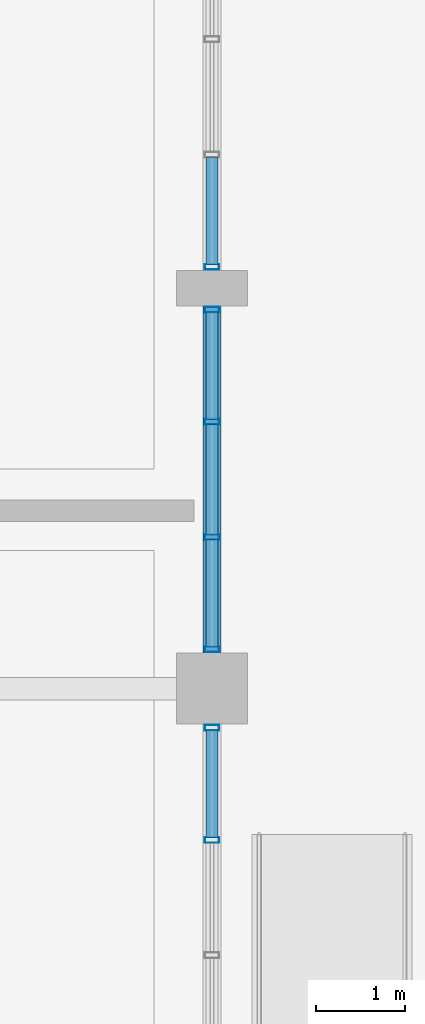
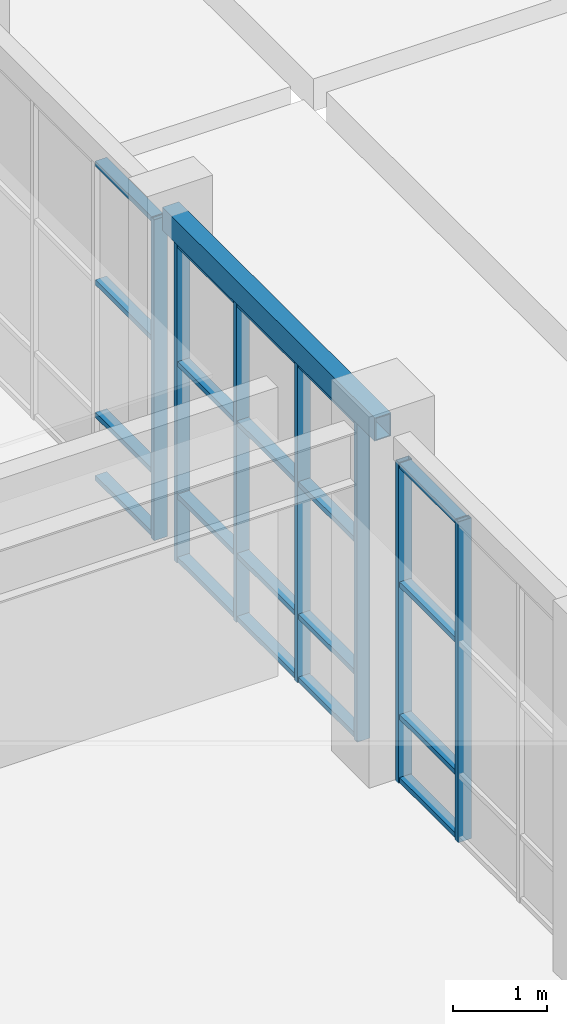
# One storey, part 17 of 47: 27 members, 1 beam, 3 elements without a shape of their own.
"""IFC4 building model written with IfcOpenShell, lengths in metres."""

import ifcopenshell
import ifcopenshell.guid

model = None  # the IFC model being written
_history = None  # IfcOwnerHistory: only IFC2X3 demands one
_inside = {}  # id of a spatial element -> (the spatial element, [elements in it])
_under = {}  # id of a project, library or spatial element -> (it, [spatial elements below it])
_declared = {}  # id of a project -> (the project, [libraries it declares])
_typed = {}  # id of a type object -> (the type object, [elements of that type])
_made_of = {}  # id of a material, layer set ... -> (it, [elements and type objects made of it])


def new_model(schema):
    """Start an empty IFC model of exactly this schema.

    Asked for "IFC4X3", IfcOpenShell would pick the latest addendum, in which some entities
    have other attributes; the version numbers below select the first issue.
    IFC2X3 requires an IfcOwnerHistory on every rooted entity: one is made here for all.
    """
    global model, _history
    if schema == "IFC4X3":
        model = ifcopenshell.file(schema_version=(4, 3, 0, 0))
    else:
        model = ifcopenshell.file(schema=schema)
    _inside.clear()
    _under.clear()
    _declared.clear()
    _typed.clear()
    _made_of.clear()
    _history = None
    if model.schema == "IFC2X3":
        org = make("IfcOrganization", Name="unknown")
        user = make(
            "IfcPersonAndOrganization",
            ThePerson=make("IfcPerson", FamilyName="unknown"),
            TheOrganization=org,
        )
        app = make(
            "IfcApplication",
            ApplicationDeveloper=org,
            Version="unknown",
            ApplicationFullName="unknown",
            ApplicationIdentifier="unknown",
        )
        _history = make(
            "IfcOwnerHistory",
            OwningUser=user,
            OwningApplication=app,
            ChangeAction="ADDED",
            CreationDate=0,
        )
    return model


def make(cls, **values):
    """One entity of the class cls with the attributes given. An attribute that is None is left unset."""
    return model.create_entity(
        cls, **{name: value for name, value in values.items() if value is not None}
    )


def rooted(cls, **values):
    """An entity with a GlobalId (a new one), such as an element, a storey or a relation."""
    return make(cls, GlobalId=ifcopenshell.guid.new(), OwnerHistory=_history, **values)


def si_unit(unit_type, name, prefix=None):
    """IfcSIUnit, for example si_unit("LENGTHUNIT", "METRE", prefix="MILLI")."""
    return make("IfcSIUnit", UnitType=unit_type, Prefix=prefix, Name=name)


def assignment(units):
    """IfcUnitAssignment: the units of a project."""
    return None if units is None else make("IfcUnitAssignment", Units=units)


def point(xyz):
    """IfcCartesianPoint."""
    return None if xyz is None else make("IfcCartesianPoint", Coordinates=xyz)


def direction(xyz):
    """IfcDirection."""
    return None if xyz is None else make("IfcDirection", DirectionRatios=xyz)


def frame(location, z_axis=None, x_axis=None):
    """IfcAxis2Placement3D, a coordinate frame: its origin and axes. An axis left out is left unset."""
    return make(
        "IfcAxis2Placement3D",
        Location=point(location),
        Axis=direction(z_axis),
        RefDirection=direction(x_axis),
    )


def frame_2d(location, x_axis=None):
    """IfcAxis2Placement2D, a coordinate frame in the plane: its origin and x axis."""
    return make(
        "IfcAxis2Placement2D", Location=point(location), RefDirection=direction(x_axis)
    )


def origin():
    """The frame at (0, 0, 0) with its axes left unset."""
    return frame((0.0, 0.0, 0.0))


def origin_2d():
    """The frame at (0, 0) in the plane with its x axis left unset."""
    return frame_2d((0.0, 0.0))


def place(relative_to, where):
    """IfcLocalPlacement: puts the frame where relative to a parent placement (None: the world)."""
    return make(
        "IfcLocalPlacement", PlacementRelTo=relative_to, RelativePlacement=where
    )


def context(
    kind, dimensions, precision=None, world=None, true_north=None, identifier=None
):
    """IfcGeometricRepresentationContext, for example the 3D "Model" context."""
    return make(
        "IfcGeometricRepresentationContext",
        ContextIdentifier=identifier,
        ContextType=kind,
        CoordinateSpaceDimension=dimensions,
        Precision=precision,
        WorldCoordinateSystem=world,
        TrueNorth=true_north,
    )


def subcontext(parent, identifier, kind, view, scale=None):
    """IfcGeometricRepresentationSubContext, for example "Body" below "Model"."""
    return make(
        "IfcGeometricRepresentationSubContext",
        ContextIdentifier=identifier,
        ContextType=kind,
        ParentContext=parent,
        TargetScale=scale,
        TargetView=view,
    )


def project(units=None, contexts=None):
    """IfcProject with its units and contexts."""
    return rooted(
        "IfcProject",
        Name="project",
        RepresentationContexts=contexts,
        UnitsInContext=assignment(units),
    )


def spatial(cls, under=None, at=None, **own):
    """A site, building, storey or space (cls), placed at a placement, below another one or the project."""
    s = rooted(cls, ObjectPlacement=at, **own)
    if under is not None:
        _under.setdefault(under.id(), (under, []))[1].append(s)
    return s


def profile(cls, at=None, kind="AREA", **sizes):
    """A parametric profile (cls). Its sizes go by their IFC names, for example OverallWidth=200.0."""
    return make(cls, ProfileType=kind, Position=at, **sizes)


def hollow_rectangle(**sizes):
    """IfcRectangleHollowProfileDef."""
    return profile("IfcRectangleHollowProfileDef", **sizes)


def extrude(swept, where, along, depth):
    """IfcExtrudedAreaSolid: the profile swept, set in the frame where, extruded along a direction by depth."""
    return make(
        "IfcExtrudedAreaSolid",
        SweptArea=swept,
        Position=where,
        ExtrudedDirection=direction(along),
        Depth=depth,
    )


def shape(context_of_items, identifier, shape_type, items):
    """IfcShapeRepresentation: the items that make up one representation, for example the "Body"."""
    return make(
        "IfcShapeRepresentation",
        ContextOfItems=context_of_items,
        RepresentationIdentifier=identifier,
        RepresentationType=shape_type,
        Items=items,
    )


def material(Name=None, Category=None):
    """IfcMaterial."""
    return make("IfcMaterial", Name=Name, Category=Category)


def layer(
    of_material, thickness, ventilated=None, Name=None, Category=None, Priority=None
):
    """IfcMaterialLayer: one layer of a wall or slab, of a material (None: an air gap)."""
    return make(
        "IfcMaterialLayer",
        Material=of_material,
        LayerThickness=thickness,
        IsVentilated=ventilated,
        Name=Name,
        Category=Category,
        Priority=Priority,
    )


def layer_set(layers, Name=None):
    """IfcMaterialLayerSet."""
    return make("IfcMaterialLayerSet", MaterialLayers=layers, LayerSetName=Name)


def material_profile(
    of_material, cross_section, Name=None, Category=None, Priority=None
):
    """IfcMaterialProfile: a cross section and its material."""
    return make(
        "IfcMaterialProfile",
        Name=Name,
        Material=of_material,
        Profile=cross_section,
        Priority=Priority,
        Category=Category,
    )


def profile_set(profiles, Name=None, composite=None):
    """IfcMaterialProfileSet."""
    return make(
        "IfcMaterialProfileSet",
        Name=Name,
        MaterialProfiles=profiles,
        CompositeProfile=composite,
    )


def made_of(thing, what):
    """Note that an element or type object is made of a material, layer set ...; save() writes the relation."""
    if what is not None:
        _made_of.setdefault(what.id(), (what, []))[1].append(thing)
    return thing


def type_object(cls, material=None, **own):
    """A type object (cls), such as IfcWallType, which elements share."""
    return made_of(rooted(cls, **own), material)


def element(
    cls,
    number,
    at=None,
    inside=None,
    cuts=None,
    type_object=None,
    material=None,
    context=None,
    identifier="Body",
    shape_type=None,
    held_by="IfcProductDefinitionShape",
    body=None,
    shapes=None,
    **own,
):
    """One element of the class cls, such as IfcWall. Its Tag is "e" and its number.

    at: its placement. inside: the storey or other place that contains it. cuts: it is an
    opening in that element (IfcRelVoidsElement). A single representation is given by context,
    identifier, shape_type and body (its items); several are given by shapes. held_by: the class
    of the entity that holds the representations. save() writes the other relations.
    """
    e = rooted(cls, Tag="e%d" % number, ObjectPlacement=at, **own)
    if body is not None:
        shapes = [shape(context, identifier, shape_type, body)]
    if shapes is not None:
        e.Representation = make(held_by, Representations=shapes)
    if inside is not None:
        _inside.setdefault(inside.id(), (inside, []))[1].append(e)
    if cuts is not None:
        rooted(
            "IfcRelVoidsElement", RelatingBuildingElement=cuts, RelatedOpeningElement=e
        )
    if type_object is not None:
        _typed.setdefault(type_object.id(), (type_object, []))[1].append(e)
    return made_of(e, material)


def aggregate(whole, parts):
    """IfcRelAggregates: a whole, such as a stair, and the parts it consists of."""
    return rooted("IfcRelAggregates", RelatingObject=whole, RelatedObjects=parts)


def save(model, path):
    """Write the relations noted so far, then the file.

    IfcRelAggregates (storeys below a building ...), IfcRelContainedInSpatialStructure (elements
    in a storey), IfcRelDefinesByType, IfcRelAssociatesMaterial and IfcRelDeclares: one each for
    every whole, place, type object, material and project.
    """
    for whole, parts in _under.values():
        aggregate(whole, parts)
    for where, things in _inside.values():
        rooted(
            "IfcRelContainedInSpatialStructure",
            RelatedElements=things,
            RelatingStructure=where,
        )
    for kind, things in _typed.values():
        rooted("IfcRelDefinesByType", RelatedObjects=things, RelatingType=kind)
    for what, things in _made_of.values():
        rooted("IfcRelAssociatesMaterial", RelatedObjects=things, RelatingMaterial=what)
    for by, libraries in _declared.values():
        rooted("IfcRelDeclares", RelatingContext=by, RelatedDefinitions=libraries)
    model.write(path)


model = new_model("IFC4")

# Units and contexts
model_context = context("Model", 3, precision=1e-05, world=origin(), true_north=direction((0.0, 1.0)))
body_context = subcontext(model_context, "Body", "Model", "MODEL_VIEW")
ifc_project = project(units=[si_unit("LENGTHUNIT", "METRE"), si_unit("AREAUNIT", "SQUARE_METRE"), si_unit("VOLUMEUNIT", "CUBIC_METRE"), si_unit("PLANEANGLEUNIT", "RADIAN"), si_unit("MASSUNIT", "GRAM", prefix="KILO")], contexts=[model_context])

# Site, building, storey
site_placement = place(None, origin())
site = spatial("IfcSite", under=ifc_project, at=site_placement, CompositionType="ELEMENT")
building_placement = place(site_placement, origin())
building = spatial("IfcBuilding", under=site, at=building_placement, Name="Ventoquebrada Cableway Terminal", CompositionType="ELEMENT")
storey_placement = place(building_placement, origin())
storey = spatial("IfcBuildingStorey", under=building, at=storey_placement, Name="L00", CompositionType="ELEMENT", Elevation=0.0)

# Curtain wall, members
ifc_material_1 = material(Name="Anodized thermally-broken aluminium", Category="aluminium")
ifc_layer = layer(ifc_material_1, 0.159912109375)
ifc_layer_set = layer_set([ifc_layer], Name="Anodized thermally-broken aluminium")
curtain_wall_type = type_object("IfcCurtainWallType", Name="CW-T13", PredefinedType="USERDEFINED", material=ifc_layer_set)
curtain_wall_1_placement = place(storey_placement, origin())
curtain_wall_1 = element("IfcCurtainWall", 1, at=curtain_wall_1_placement, inside=storey, type_object=curtain_wall_type, Name="Unitised glazed curtain wall CW-025", ObjectType="UNITISED CURTAIN WALL", PredefinedType="USERDEFINED")
ifc_material_profile_1 = material_profile(ifc_material_1, hollow_rectangle(XDim=0.06494140625, YDim=0.159912109375, WallThickness=0.00390625, at=origin_2d()), Name="CW-MUL-65X160")
ifc_profile_set_1 = profile_set([ifc_material_profile_1], Name="Anodized thermally-broken aluminium")
member_type_1 = type_object("IfcMemberType", Name="CWM-01", PredefinedType="MULLION", material=ifc_profile_set_1)
member_1_placement = place(storey_placement, frame((35.0, 75.298095703125, -0.008056640625), z_axis=(0.0, 0.0, 1.0), x_axis=(0.0, 1.0, 0.0)))
member_1 = element("IfcMember", 2, at=member_1_placement, type_object=member_type_1, Name="Curtain wall mullion FML-0115", PredefinedType="MULLION", context=body_context, shape_type="SweptSolid", body=[
    extrude(hollow_rectangle(XDim=0.06494140625, YDim=0.159912109375, WallThickness=0.00390625, at=origin_2d()), origin(), (0.0, 0.0, 1.0), 4.14794921875),
])
member_2_placement = place(storey_placement, frame((35.0, 76.56005859375, -0.008056640625), z_axis=(0.0, 0.0, 1.0), x_axis=(0.0, 1.0, 0.0)))
member_2 = element("IfcMember", 3, at=member_2_placement, type_object=member_type_1, Name="Curtain wall mullion FML-0116", PredefinedType="MULLION", context=body_context, shape_type="SweptSolid", body=[
    extrude(hollow_rectangle(XDim=0.06494140625, YDim=0.159912109375, WallThickness=0.00390625, at=origin_2d()), origin(), (0.0, 0.0, 1.0), 4.14794921875),
])

curtain_wall_2_placement = place(storey_placement, origin())
curtain_wall_2 = element("IfcCurtainWall", 4, at=curtain_wall_2_placement, inside=storey, type_object=curtain_wall_type, Name="Unitised glazed curtain wall CW-026", ObjectType="UNITISED CURTAIN WALL", PredefinedType="USERDEFINED")
member_3_placement = place(storey_placement, frame((35.0, 77.43994140625, -0.008056640625), z_axis=(0.0, 0.0, 1.0), x_axis=(0.0, 1.0, 0.0)))
member_3 = element("IfcMember", 5, at=member_3_placement, type_object=member_type_1, Name="Curtain wall mullion FML-0117", PredefinedType="MULLION", context=body_context, shape_type="SweptSolid", body=[
    extrude(hollow_rectangle(XDim=0.06494140625, YDim=0.159912109375, WallThickness=0.00390625, at=origin_2d()), origin(), (0.0, 0.0, 1.0), 4.14794921875),
])
member_4_placement = place(storey_placement, frame((35.0, 78.701904296875, -0.008056640625), z_axis=(0.0, 0.0, 1.0), x_axis=(0.0, 1.0, 0.0)))
member_4 = element("IfcMember", 6, at=member_4_placement, type_object=member_type_1, Name="Curtain wall mullion FML-0118", PredefinedType="MULLION", context=body_context, shape_type="SweptSolid", body=[
    extrude(hollow_rectangle(XDim=0.06494140625, YDim=0.159912109375, WallThickness=0.00390625, at=origin_2d()), origin(), (0.0, 0.0, 1.0), 4.14794921875),
])
member_5_placement = place(storey_placement, frame((35.0, 79.998046875, -0.008056640625), z_axis=(0.0, 0.0, 1.0), x_axis=(0.0, 1.0, 0.0)))
member_5 = element("IfcMember", 7, at=member_5_placement, type_object=member_type_1, Name="Curtain wall mullion FML-0119", PredefinedType="MULLION", context=body_context, shape_type="SweptSolid", body=[
    extrude(hollow_rectangle(XDim=0.06494140625, YDim=0.159912109375, WallThickness=0.00390625, at=origin_2d()), origin(), (0.0, 0.0, 1.0), 4.14794921875),
])
member_6_placement = place(storey_placement, frame((35.0, 81.260009765625, -0.008056640625), z_axis=(0.0, 0.0, 1.0), x_axis=(0.0, 1.0, 0.0)))
member_6 = element("IfcMember", 8, at=member_6_placement, type_object=member_type_1, Name="Curtain wall mullion FML-0120", PredefinedType="MULLION", context=body_context, shape_type="SweptSolid", body=[
    extrude(hollow_rectangle(XDim=0.06494140625, YDim=0.159912109375, WallThickness=0.00390625, at=origin_2d()), origin(), (0.0, 0.0, 1.0), 4.14794921875),
])

# Curtain wall, member
curtain_wall_3_placement = place(storey_placement, origin())
curtain_wall_3 = element("IfcCurtainWall", 9, at=curtain_wall_3_placement, inside=storey, type_object=curtain_wall_type, Name="Unitised glazed curtain wall CW-027", ObjectType="UNITISED CURTAIN WALL", PredefinedType="USERDEFINED")
member_7_placement = place(storey_placement, frame((35.0, 81.739990234375, -0.008056640625), z_axis=(0.0, 0.0, 1.0), x_axis=(0.0, 1.0, 0.0)))
member_7 = element("IfcMember", 10, at=member_7_placement, type_object=member_type_1, Name="Curtain wall mullion FML-0121", PredefinedType="MULLION", context=body_context, shape_type="SweptSolid", body=[
    extrude(hollow_rectangle(XDim=0.06494140625, YDim=0.159912109375, WallThickness=0.00390625, at=origin_2d()), origin(), (0.0, 0.0, 1.0), 4.14794921875),
])

# Member
ifc_material_profile_2 = material_profile(ifc_material_1, hollow_rectangle(XDim=0.06494140625, YDim=0.139892578125, WallThickness=0.00390625, at=origin_2d()), Name="CW-TRN-65X140")
ifc_profile_set_2 = profile_set([ifc_material_profile_2], Name="Anodized thermally-broken aluminium")
member_type_2 = type_object("IfcMemberType", Name="CWT-01", PredefinedType="USERDEFINED", material=ifc_profile_set_2)
member_8_placement = place(storey_placement, frame((35.0, 75.325927734375, 0.034912109375), z_axis=(0.0, 1.0, 0.0), x_axis=(0.0, 0.0, 1.0)))
member_8 = element("IfcMember", 11, at=member_8_placement, type_object=member_type_2, Name="Curtain wall transom FTR-0339", ObjectType="TRANSOM", PredefinedType="USERDEFINED", context=body_context, shape_type="SweptSolid", body=[
    extrude(hollow_rectangle(XDim=0.06494140625, YDim=0.139892578125, WallThickness=0.00390625, at=origin_2d()), origin(), (0.0, 0.0, 1.0), 1.2060546875),
])

member_9_placement = place(storey_placement, frame((35.0, 75.325927734375, 0.85009765625), z_axis=(0.0, 1.0, 0.0), x_axis=(0.0, 0.0, 1.0)))
member_9 = element("IfcMember", 12, at=member_9_placement, type_object=member_type_2, Name="Curtain wall transom FTR-0340", ObjectType="TRANSOM", PredefinedType="USERDEFINED", context=body_context, shape_type="SweptSolid", body=[
    extrude(hollow_rectangle(XDim=0.06494140625, YDim=0.139892578125, WallThickness=0.00390625, at=origin_2d()), origin(), (0.0, 0.0, 1.0), 1.2060546875),
])

member_10_placement = place(storey_placement, frame((35.0, 75.325927734375, 2.56396484375), z_axis=(0.0, 1.0, 0.0), x_axis=(0.0, 0.0, 1.0)))
member_10 = element("IfcMember", 13, at=member_10_placement, type_object=member_type_2, Name="Curtain wall transom FTR-0341", ObjectType="TRANSOM", PredefinedType="USERDEFINED", context=body_context, shape_type="SweptSolid", body=[
    extrude(hollow_rectangle(XDim=0.06494140625, YDim=0.139892578125, WallThickness=0.00390625, at=origin_2d()), origin(), (0.0, 0.0, 1.0), 1.2060546875),
])

member_11_placement = place(storey_placement, frame((35.0, 75.325927734375, 4.10009765625), z_axis=(0.0, 1.0, 0.0), x_axis=(0.0, 0.0, 1.0)))
member_11 = element("IfcMember", 14, at=member_11_placement, type_object=member_type_2, Name="Curtain wall transom FTR-0342", ObjectType="TRANSOM", PredefinedType="USERDEFINED", context=body_context, shape_type="SweptSolid", body=[
    extrude(hollow_rectangle(XDim=0.06494140625, YDim=0.139892578125, WallThickness=0.00390625, at=origin_2d()), origin(), (0.0, 0.0, 1.0), 1.2060546875),
])

aggregate(curtain_wall_1, [member_1, member_2, member_8, member_9, member_10, member_11])

member_12_placement = place(storey_placement, frame((35.0, 77.468017578125, 0.034912109375), z_axis=(0.0, 1.0, 0.0), x_axis=(0.0, 0.0, 1.0)))
member_12 = element("IfcMember", 15, at=member_12_placement, type_object=member_type_2, Name="Curtain wall transom FTR-0343", ObjectType="TRANSOM", PredefinedType="USERDEFINED", context=body_context, shape_type="SweptSolid", body=[
    extrude(hollow_rectangle(XDim=0.06494140625, YDim=0.139892578125, WallThickness=0.00390625, at=origin_2d()), origin(), (0.0, 0.0, 1.0), 1.2060546875),
])

member_13_placement = place(storey_placement, frame((35.0, 77.468017578125, 0.85009765625), z_axis=(0.0, 1.0, 0.0), x_axis=(0.0, 0.0, 1.0)))
member_13 = element("IfcMember", 16, at=member_13_placement, type_object=member_type_2, Name="Curtain wall transom FTR-0344", ObjectType="TRANSOM", PredefinedType="USERDEFINED", context=body_context, shape_type="SweptSolid", body=[
    extrude(hollow_rectangle(XDim=0.06494140625, YDim=0.139892578125, WallThickness=0.00390625, at=origin_2d()), origin(), (0.0, 0.0, 1.0), 1.2060546875),
])

member_14_placement = place(storey_placement, frame((35.0, 77.468017578125, 2.56396484375), z_axis=(0.0, 1.0, 0.0), x_axis=(0.0, 0.0, 1.0)))
member_14 = element("IfcMember", 17, at=member_14_placement, type_object=member_type_2, Name="Curtain wall transom FTR-0345", ObjectType="TRANSOM", PredefinedType="USERDEFINED", context=body_context, shape_type="SweptSolid", body=[
    extrude(hollow_rectangle(XDim=0.06494140625, YDim=0.139892578125, WallThickness=0.00390625, at=origin_2d()), origin(), (0.0, 0.0, 1.0), 1.2060546875),
])

member_15_placement = place(storey_placement, frame((35.0, 77.468017578125, 4.10009765625), z_axis=(0.0, 1.0, 0.0), x_axis=(0.0, 0.0, 1.0)))
member_15 = element("IfcMember", 18, at=member_15_placement, type_object=member_type_2, Name="Curtain wall transom FTR-0346", ObjectType="TRANSOM", PredefinedType="USERDEFINED", context=body_context, shape_type="SweptSolid", body=[
    extrude(hollow_rectangle(XDim=0.06494140625, YDim=0.139892578125, WallThickness=0.00390625, at=origin_2d()), origin(), (0.0, 0.0, 1.0), 1.2060546875),
])

member_16_placement = place(storey_placement, frame((35.0, 78.72900390625, 0.034912109375), z_axis=(0.0, 1.0, 0.0), x_axis=(0.0, 0.0, 1.0)))
member_16 = element("IfcMember", 19, at=member_16_placement, type_object=member_type_2, Name="Curtain wall transom FTR-0347", ObjectType="TRANSOM", PredefinedType="USERDEFINED", context=body_context, shape_type="SweptSolid", body=[
    extrude(hollow_rectangle(XDim=0.06494140625, YDim=0.139892578125, WallThickness=0.00390625, at=origin_2d()), origin(), (0.0, 0.0, 1.0), 1.241943359375),
])

member_17_placement = place(storey_placement, frame((35.0, 78.72900390625, 0.85009765625), z_axis=(0.0, 1.0, 0.0), x_axis=(0.0, 0.0, 1.0)))
member_17 = element("IfcMember", 20, at=member_17_placement, type_object=member_type_2, Name="Curtain wall transom FTR-0348", ObjectType="TRANSOM", PredefinedType="USERDEFINED", context=body_context, shape_type="SweptSolid", body=[
    extrude(hollow_rectangle(XDim=0.06494140625, YDim=0.139892578125, WallThickness=0.00390625, at=origin_2d()), origin(), (0.0, 0.0, 1.0), 1.241943359375),
])

member_18_placement = place(storey_placement, frame((35.0, 78.72900390625, 2.56396484375), z_axis=(0.0, 1.0, 0.0), x_axis=(0.0, 0.0, 1.0)))
member_18 = element("IfcMember", 21, at=member_18_placement, type_object=member_type_2, Name="Curtain wall transom FTR-0349", ObjectType="TRANSOM", PredefinedType="USERDEFINED", context=body_context, shape_type="SweptSolid", body=[
    extrude(hollow_rectangle(XDim=0.06494140625, YDim=0.139892578125, WallThickness=0.00390625, at=origin_2d()), origin(), (0.0, 0.0, 1.0), 1.241943359375),
])

member_19_placement = place(storey_placement, frame((35.0, 78.72900390625, 4.10009765625), z_axis=(0.0, 1.0, 0.0), x_axis=(0.0, 0.0, 1.0)))
member_19 = element("IfcMember", 22, at=member_19_placement, type_object=member_type_2, Name="Curtain wall transom FTR-0350", ObjectType="TRANSOM", PredefinedType="USERDEFINED", context=body_context, shape_type="SweptSolid", body=[
    extrude(hollow_rectangle(XDim=0.06494140625, YDim=0.139892578125, WallThickness=0.00390625, at=origin_2d()), origin(), (0.0, 0.0, 1.0), 1.241943359375),
])

member_20_placement = place(storey_placement, frame((35.0, 80.02587890625, 0.034912109375), z_axis=(0.0, 1.0, 0.0), x_axis=(0.0, 0.0, 1.0)))
member_20 = element("IfcMember", 23, at=member_20_placement, type_object=member_type_2, Name="Curtain wall transom FTR-0351", ObjectType="TRANSOM", PredefinedType="USERDEFINED", context=body_context, shape_type="SweptSolid", body=[
    extrude(hollow_rectangle(XDim=0.06494140625, YDim=0.139892578125, WallThickness=0.00390625, at=origin_2d()), origin(), (0.0, 0.0, 1.0), 1.20703125),
])

member_21_placement = place(storey_placement, frame((35.0, 80.02587890625, 0.85009765625), z_axis=(0.0, 1.0, 0.0), x_axis=(0.0, 0.0, 1.0)))
member_21 = element("IfcMember", 24, at=member_21_placement, type_object=member_type_2, Name="Curtain wall transom FTR-0352", ObjectType="TRANSOM", PredefinedType="USERDEFINED", context=body_context, shape_type="SweptSolid", body=[
    extrude(hollow_rectangle(XDim=0.06494140625, YDim=0.139892578125, WallThickness=0.00390625, at=origin_2d()), origin(), (0.0, 0.0, 1.0), 1.20703125),
])

member_22_placement = place(storey_placement, frame((35.0, 80.02587890625, 2.56396484375), z_axis=(0.0, 1.0, 0.0), x_axis=(0.0, 0.0, 1.0)))
member_22 = element("IfcMember", 25, at=member_22_placement, type_object=member_type_2, Name="Curtain wall transom FTR-0353", ObjectType="TRANSOM", PredefinedType="USERDEFINED", context=body_context, shape_type="SweptSolid", body=[
    extrude(hollow_rectangle(XDim=0.06494140625, YDim=0.139892578125, WallThickness=0.00390625, at=origin_2d()), origin(), (0.0, 0.0, 1.0), 1.20703125),
])

member_23_placement = place(storey_placement, frame((35.0, 80.02587890625, 4.10009765625), z_axis=(0.0, 1.0, 0.0), x_axis=(0.0, 0.0, 1.0)))
member_23 = element("IfcMember", 26, at=member_23_placement, type_object=member_type_2, Name="Curtain wall transom FTR-0354", ObjectType="TRANSOM", PredefinedType="USERDEFINED", context=body_context, shape_type="SweptSolid", body=[
    extrude(hollow_rectangle(XDim=0.06494140625, YDim=0.139892578125, WallThickness=0.00390625, at=origin_2d()), origin(), (0.0, 0.0, 1.0), 1.20703125),
])

aggregate(curtain_wall_2, [member_3, member_4, member_5, member_6, member_12, member_13, member_14, member_15, member_16, member_17, member_18, member_19, member_20, member_21, member_22, member_23])

member_24_placement = place(storey_placement, frame((35.0, 81.76708984375, 0.034912109375), z_axis=(0.0, 1.0, 0.0), x_axis=(0.0, 0.0, 1.0)))
member_24 = element("IfcMember", 27, at=member_24_placement, type_object=member_type_2, Name="Curtain wall transom FTR-0355", ObjectType="TRANSOM", PredefinedType="USERDEFINED", context=body_context, shape_type="SweptSolid", body=[
    extrude(hollow_rectangle(XDim=0.06494140625, YDim=0.139892578125, WallThickness=0.00390625, at=origin_2d()), origin(), (0.0, 0.0, 1.0), 1.20703125),
])

member_25_placement = place(storey_placement, frame((35.0, 81.76708984375, 0.85009765625), z_axis=(0.0, 1.0, 0.0), x_axis=(0.0, 0.0, 1.0)))
member_25 = element("IfcMember", 28, at=member_25_placement, type_object=member_type_2, Name="Curtain wall transom FTR-0356", ObjectType="TRANSOM", PredefinedType="USERDEFINED", context=body_context, shape_type="SweptSolid", body=[
    extrude(hollow_rectangle(XDim=0.06494140625, YDim=0.139892578125, WallThickness=0.00390625, at=origin_2d()), origin(), (0.0, 0.0, 1.0), 1.20703125),
])

member_26_placement = place(storey_placement, frame((35.0, 81.76708984375, 2.56396484375), z_axis=(0.0, 1.0, 0.0), x_axis=(0.0, 0.0, 1.0)))
member_26 = element("IfcMember", 29, at=member_26_placement, type_object=member_type_2, Name="Curtain wall transom FTR-0357", ObjectType="TRANSOM", PredefinedType="USERDEFINED", context=body_context, shape_type="SweptSolid", body=[
    extrude(hollow_rectangle(XDim=0.06494140625, YDim=0.139892578125, WallThickness=0.00390625, at=origin_2d()), origin(), (0.0, 0.0, 1.0), 1.20703125),
])

member_27_placement = place(storey_placement, frame((35.0, 81.76708984375, 4.10009765625), z_axis=(0.0, 1.0, 0.0), x_axis=(0.0, 0.0, 1.0)))
member_27 = element("IfcMember", 30, at=member_27_placement, type_object=member_type_2, Name="Curtain wall transom FTR-0358", ObjectType="TRANSOM", PredefinedType="USERDEFINED", context=body_context, shape_type="SweptSolid", body=[
    extrude(hollow_rectangle(XDim=0.06494140625, YDim=0.139892578125, WallThickness=0.00390625, at=origin_2d()), origin(), (0.0, 0.0, 1.0), 1.20703125),
])

aggregate(curtain_wall_3, [member_7, member_24, member_25, member_26, member_27])

# Beam
ifc_material_2 = material(Name="Steel ASTM A500 Grade C", Category="steel")
ifc_material_profile_3 = material_profile(ifc_material_2, hollow_rectangle(XDim=0.199951171875, YDim=0.300048828125, WallThickness=0.012451171875, at=origin_2d()), Name="RHS300X200X12.5")
ifc_profile_set_3 = profile_set([ifc_material_profile_3], Name="Steel ASTM A500 Grade C")
beam_type = type_object("IfcBeamType", Name="SP-ST02", PredefinedType="SPANDREL", material=ifc_profile_set_3)
beam_placement = place(storey_placement, frame((35.0, 77.0, 4.2900390625), z_axis=(0.0, 1.0, 0.0), x_axis=(-1.0, 0.0, 0.0)))
element("IfcBeam", 31, at=beam_placement, inside=storey, type_object=beam_type, Name="Perimeter spandrel beam FBM-0369", PredefinedType="SPANDREL", context=body_context, shape_type="SweptSolid", body=[
    extrude(hollow_rectangle(XDim=0.199951171875, YDim=0.300048828125, WallThickness=0.012451171875, at=origin_2d()), origin(), (0.0, 0.0, 1.0), 4.5),
])

save(model, "model.ifc")
